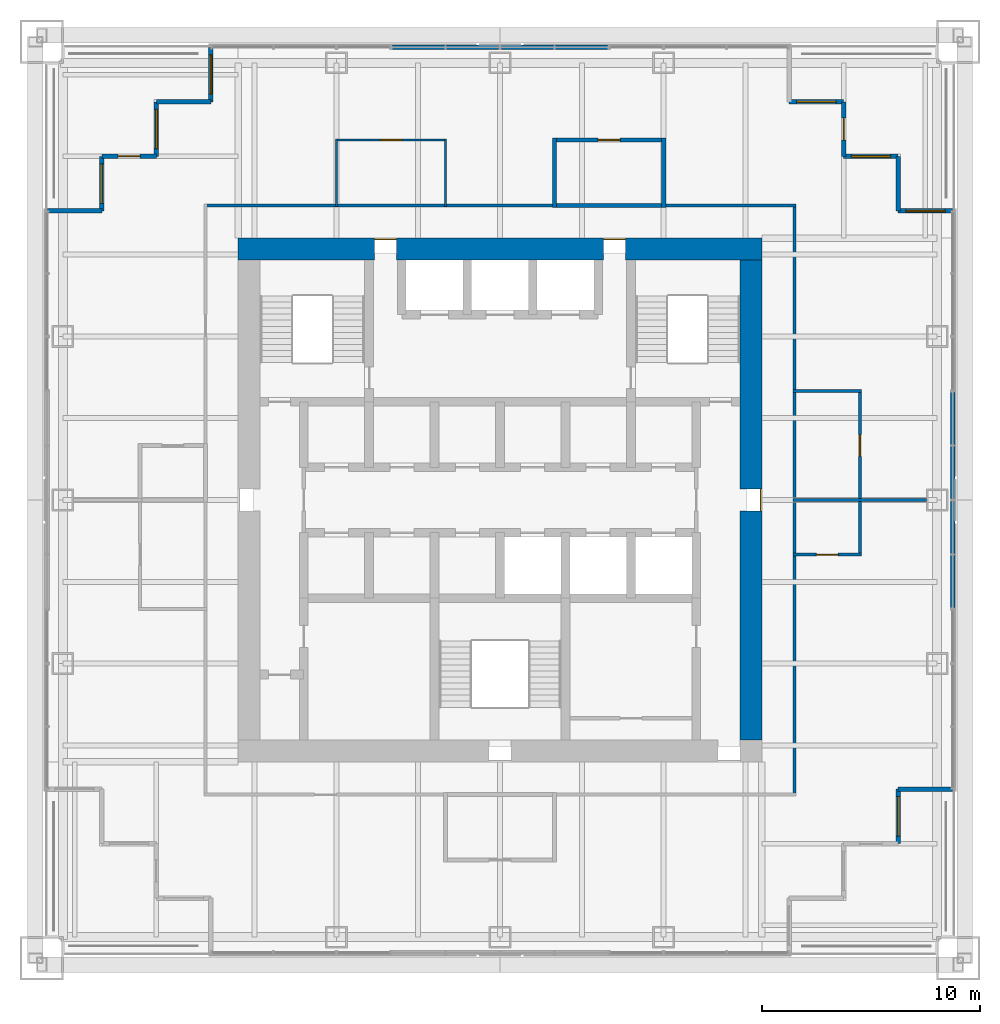
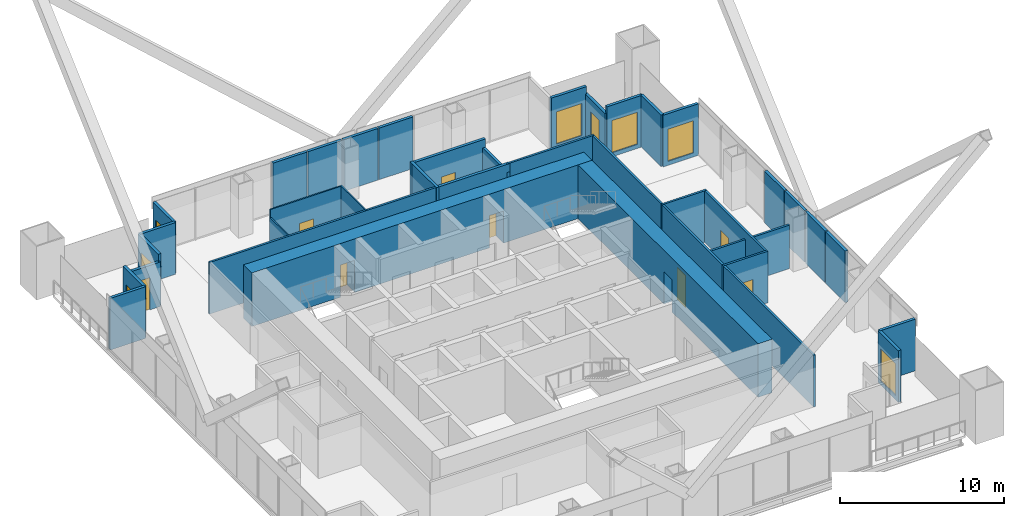
# One storey, part 16 of 19: 37 walls, 9 doors, 7 windows, 16 openings.
"""IFC4 building model written with IfcOpenShell, lengths in metres."""

import ifcopenshell
import ifcopenshell.guid

model = None  # the IFC model being written
_history = None  # IfcOwnerHistory: only IFC2X3 demands one
_inside = {}  # id of a spatial element -> (the spatial element, [elements in it])
_under = {}  # id of a project, library or spatial element -> (it, [spatial elements below it])
_declared = {}  # id of a project -> (the project, [libraries it declares])
_typed = {}  # id of a type object -> (the type object, [elements of that type])
_made_of = {}  # id of a material, layer set ... -> (it, [elements and type objects made of it])


def new_model(schema):
    """Start an empty IFC model of exactly this schema.

    Asked for "IFC4X3", IfcOpenShell would pick the latest addendum, in which some entities
    have other attributes; the version numbers below select the first issue.
    IFC2X3 requires an IfcOwnerHistory on every rooted entity: one is made here for all.
    """
    global model, _history
    if schema == "IFC4X3":
        model = ifcopenshell.file(schema_version=(4, 3, 0, 0))
    else:
        model = ifcopenshell.file(schema=schema)
    _inside.clear()
    _under.clear()
    _declared.clear()
    _typed.clear()
    _made_of.clear()
    _history = None
    if model.schema == "IFC2X3":
        org = make("IfcOrganization", Name="unknown")
        user = make(
            "IfcPersonAndOrganization",
            ThePerson=make("IfcPerson", FamilyName="unknown"),
            TheOrganization=org,
        )
        app = make(
            "IfcApplication",
            ApplicationDeveloper=org,
            Version="unknown",
            ApplicationFullName="unknown",
            ApplicationIdentifier="unknown",
        )
        _history = make(
            "IfcOwnerHistory",
            OwningUser=user,
            OwningApplication=app,
            ChangeAction="ADDED",
            CreationDate=0,
        )
    return model


def make(cls, **values):
    """One entity of the class cls with the attributes given. An attribute that is None is left unset."""
    return model.create_entity(
        cls, **{name: value for name, value in values.items() if value is not None}
    )


def rooted(cls, **values):
    """An entity with a GlobalId (a new one), such as an element, a storey or a relation."""
    return make(cls, GlobalId=ifcopenshell.guid.new(), OwnerHistory=_history, **values)


def si_unit(unit_type, name, prefix=None):
    """IfcSIUnit, for example si_unit("LENGTHUNIT", "METRE", prefix="MILLI")."""
    return make("IfcSIUnit", UnitType=unit_type, Prefix=prefix, Name=name)


def assignment(units):
    """IfcUnitAssignment: the units of a project."""
    return None if units is None else make("IfcUnitAssignment", Units=units)


def point(xyz):
    """IfcCartesianPoint."""
    return None if xyz is None else make("IfcCartesianPoint", Coordinates=xyz)


def direction(xyz):
    """IfcDirection."""
    return None if xyz is None else make("IfcDirection", DirectionRatios=xyz)


def frame(location, z_axis=None, x_axis=None):
    """IfcAxis2Placement3D, a coordinate frame: its origin and axes. An axis left out is left unset."""
    return make(
        "IfcAxis2Placement3D",
        Location=point(location),
        Axis=direction(z_axis),
        RefDirection=direction(x_axis),
    )


def frame_2d(location, x_axis=None):
    """IfcAxis2Placement2D, a coordinate frame in the plane: its origin and x axis."""
    return make(
        "IfcAxis2Placement2D", Location=point(location), RefDirection=direction(x_axis)
    )


def origin():
    """The frame at (0, 0, 0) with its axes left unset."""
    return frame((0.0, 0.0, 0.0))


def place(relative_to, where):
    """IfcLocalPlacement: puts the frame where relative to a parent placement (None: the world)."""
    return make(
        "IfcLocalPlacement", PlacementRelTo=relative_to, RelativePlacement=where
    )


def context(
    kind, dimensions, precision=None, world=None, true_north=None, identifier=None
):
    """IfcGeometricRepresentationContext, for example the 3D "Model" context."""
    return make(
        "IfcGeometricRepresentationContext",
        ContextIdentifier=identifier,
        ContextType=kind,
        CoordinateSpaceDimension=dimensions,
        Precision=precision,
        WorldCoordinateSystem=world,
        TrueNorth=true_north,
    )


def subcontext(parent, identifier, kind, view, scale=None):
    """IfcGeometricRepresentationSubContext, for example "Body" below "Model"."""
    return make(
        "IfcGeometricRepresentationSubContext",
        ContextIdentifier=identifier,
        ContextType=kind,
        ParentContext=parent,
        TargetScale=scale,
        TargetView=view,
    )


def project(units=None, contexts=None):
    """IfcProject with its units and contexts."""
    return rooted(
        "IfcProject",
        Name="project",
        RepresentationContexts=contexts,
        UnitsInContext=assignment(units),
    )


def spatial(cls, under=None, at=None, **own):
    """A site, building, storey or space (cls), placed at a placement, below another one or the project."""
    s = rooted(cls, ObjectPlacement=at, **own)
    if under is not None:
        _under.setdefault(under.id(), (under, []))[1].append(s)
    return s


def profile(cls, at=None, kind="AREA", **sizes):
    """A parametric profile (cls). Its sizes go by their IFC names, for example OverallWidth=200.0."""
    return make(cls, ProfileType=kind, Position=at, **sizes)


def rectangle(**sizes):
    """IfcRectangleProfileDef."""
    return profile("IfcRectangleProfileDef", **sizes)


def extrude(swept, where, along, depth):
    """IfcExtrudedAreaSolid: the profile swept, set in the frame where, extruded along a direction by depth."""
    return make(
        "IfcExtrudedAreaSolid",
        SweptArea=swept,
        Position=where,
        ExtrudedDirection=direction(along),
        Depth=depth,
    )


def shape(context_of_items, identifier, shape_type, items):
    """IfcShapeRepresentation: the items that make up one representation, for example the "Body"."""
    return make(
        "IfcShapeRepresentation",
        ContextOfItems=context_of_items,
        RepresentationIdentifier=identifier,
        RepresentationType=shape_type,
        Items=items,
    )


def material(Name=None, Category=None):
    """IfcMaterial."""
    return make("IfcMaterial", Name=Name, Category=Category)


def layer(
    of_material, thickness, ventilated=None, Name=None, Category=None, Priority=None
):
    """IfcMaterialLayer: one layer of a wall or slab, of a material (None: an air gap)."""
    return make(
        "IfcMaterialLayer",
        Material=of_material,
        LayerThickness=thickness,
        IsVentilated=ventilated,
        Name=Name,
        Category=Category,
        Priority=Priority,
    )


def layer_set(layers, Name=None):
    """IfcMaterialLayerSet."""
    return make("IfcMaterialLayerSet", MaterialLayers=layers, LayerSetName=Name)


def made_of(thing, what):
    """Note that an element or type object is made of a material, layer set ...; save() writes the relation."""
    if what is not None:
        _made_of.setdefault(what.id(), (what, []))[1].append(thing)
    return thing


def type_object(cls, material=None, **own):
    """A type object (cls), such as IfcWallType, which elements share."""
    return made_of(rooted(cls, **own), material)


def element(
    cls,
    number,
    at=None,
    inside=None,
    cuts=None,
    type_object=None,
    material=None,
    context=None,
    identifier="Body",
    shape_type=None,
    held_by="IfcProductDefinitionShape",
    body=None,
    shapes=None,
    **own,
):
    """One element of the class cls, such as IfcWall. Its Tag is "e" and its number.

    at: its placement. inside: the storey or other place that contains it. cuts: it is an
    opening in that element (IfcRelVoidsElement). A single representation is given by context,
    identifier, shape_type and body (its items); several are given by shapes. held_by: the class
    of the entity that holds the representations. save() writes the other relations.
    """
    e = rooted(cls, Tag="e%d" % number, ObjectPlacement=at, **own)
    if body is not None:
        shapes = [shape(context, identifier, shape_type, body)]
    if shapes is not None:
        e.Representation = make(held_by, Representations=shapes)
    if inside is not None:
        _inside.setdefault(inside.id(), (inside, []))[1].append(e)
    if cuts is not None:
        rooted(
            "IfcRelVoidsElement", RelatingBuildingElement=cuts, RelatedOpeningElement=e
        )
    if type_object is not None:
        _typed.setdefault(type_object.id(), (type_object, []))[1].append(e)
    return made_of(e, material)


def fill(opening, filler):
    """IfcRelFillsElement: the door or window that sits in an opening."""
    return rooted(
        "IfcRelFillsElement",
        RelatingOpeningElement=opening,
        RelatedBuildingElement=filler,
    )


def aggregate(whole, parts):
    """IfcRelAggregates: a whole, such as a stair, and the parts it consists of."""
    return rooted("IfcRelAggregates", RelatingObject=whole, RelatedObjects=parts)


def save(model, path):
    """Write the relations noted so far, then the file.

    IfcRelAggregates (storeys below a building ...), IfcRelContainedInSpatialStructure (elements
    in a storey), IfcRelDefinesByType, IfcRelAssociatesMaterial and IfcRelDeclares: one each for
    every whole, place, type object, material and project.
    """
    for whole, parts in _under.values():
        aggregate(whole, parts)
    for where, things in _inside.values():
        rooted(
            "IfcRelContainedInSpatialStructure",
            RelatedElements=things,
            RelatingStructure=where,
        )
    for kind, things in _typed.values():
        rooted("IfcRelDefinesByType", RelatedObjects=things, RelatingType=kind)
    for what, things in _made_of.values():
        rooted("IfcRelAssociatesMaterial", RelatedObjects=things, RelatingMaterial=what)
    for by, libraries in _declared.values():
        rooted("IfcRelDeclares", RelatingContext=by, RelatedDefinitions=libraries)
    model.write(path)


model = new_model("IFC4")

# Units and contexts
model_context = context("Model", 3, precision=1e-05, world=origin(), true_north=direction((0.0, 1.0)))
body_context = subcontext(model_context, "Body", "Model", "MODEL_VIEW")
ifc_project = project(units=[si_unit("LENGTHUNIT", "METRE"), si_unit("AREAUNIT", "SQUARE_METRE"), si_unit("VOLUMEUNIT", "CUBIC_METRE"), si_unit("PLANEANGLEUNIT", "RADIAN"), si_unit("MASSUNIT", "GRAM", prefix="KILO")], contexts=[model_context])

# Site, building, storey
site_placement = place(None, origin())
site = spatial("IfcSite", under=ifc_project, at=site_placement, CompositionType="ELEMENT")
building_placement = place(site_placement, origin())
building = spatial("IfcBuilding", under=site, at=building_placement, Name="Tarangal Relay Tower", CompositionType="ELEMENT")
storey_placement = place(building_placement, frame((0.0, 0.0, 275.89990234375)))
storey = spatial("IfcBuildingStorey", under=building, at=storey_placement, Name="L60", CompositionType="ELEMENT", Elevation=275.89990234375)

# Wall
ifc_material_1 = material(Name="Two layers gypsum board each side on twin steel studs, mineral wool", Category="steel")
ifc_layer_1 = layer(ifc_material_1, 0.199951171875)
ifc_layer_set_1 = layer_set([ifc_layer_1], Name="Acoustic partition 200")
wall_type_1 = type_object("IfcWallType", Name="Acoustic partition 200", PredefinedType="PARTITIONING", material=ifc_layer_set_1)
wall_1_placement = place(storey_placement, frame((2.39990234375, 13.5, 0.0), z_axis=(0.0, 0.0, 1.0), x_axis=(1.0, 0.0, 0.0)))
element("IfcWall", 1, at=wall_1_placement, inside=storey, type_object=wall_type_1, Name="Partition PT2 L60", PredefinedType="PARTITIONING", context=body_context, shape_type="SweptSolid", body=[
    extrude(rectangle(XDim=5.2001953125, YDim=0.199951171875, at=frame_2d((2.60009765625, 0.0))), origin(), (0.0, 0.0, 1.0), 3.85009765625),
])

# Wall, opening, door
wall_2_placement = place(storey_placement, frame((2.39990234375, 16.5, 0.0), z_axis=(0.0, 0.0, 1.0), x_axis=(1.0, 0.0, 0.0)))
wall_2 = element("IfcWall", 2, at=wall_2_placement, inside=storey, type_object=wall_type_1, Name="Partition PT2 L60", PredefinedType="PARTITIONING", context=body_context, shape_type="SweptSolid", body=[
    extrude(rectangle(XDim=5.2001953125, YDim=0.199951171875, at=frame_2d((2.60009765625, 0.0))), origin(), (0.0, 0.0, 1.0), 3.85009765625),
])
opening_1_placement = place(wall_2_placement, frame((2.10009765625, 0.0, 0.0)))
opening_1 = element("IfcOpeningElement", 3, at=opening_1_placement, cuts=wall_2, Name="Opening D2", PredefinedType="OPENING", context=body_context, shape_type="SweptSolid", body=[
    extrude(rectangle(XDim=1.0, YDim=2.10009765625, at=frame_2d((0.5, 1.050048828125))), frame((0.0, 0.10986328125, 0.0), z_axis=(0.0, -1.0, 0.0), x_axis=(1.0, 0.0, 0.0)), (0.0, 0.0, 1.0), 0.219970703125),
])
ifc_material_2 = material(Name="Hardwood door", Category="wood")
door_type_1 = type_object("IfcDoorType", Name="Door 1000 x 2100", OperationType="SINGLE_SWING_LEFT", PredefinedType="DOOR", material=ifc_material_2)
door_1_placement = place(opening_1_placement, origin())
door_1 = element("IfcDoor", 4, at=door_1_placement, inside=storey, type_object=door_type_1, Name="Door D2 to quiet room L60-03", OperationType="SINGLE_SWING_LEFT", OverallHeight=2.10009765625, OverallWidth=1.0, PredefinedType="DOOR", context=body_context, shape_type="SweptSolid", body=[
    extrude(rectangle(XDim=1.0, YDim=2.10009765625, at=frame_2d((0.5, 1.050048828125))), frame((0.0, 0.02490234375, 0.0), z_axis=(0.0, -1.0, 0.0), x_axis=(1.0, 0.0, 0.0)), (0.0, 0.0, 1.0), 0.050048828125),
])
fill(opening_1, door_1)

# Walls
wall_3_placement = place(storey_placement, frame((2.5, 13.39990234375, 0.0), z_axis=(0.0, 0.0, 1.0), x_axis=(0.0, 1.0, 0.0)))
element("IfcWall", 5, at=wall_3_placement, inside=storey, type_object=wall_type_1, Name="Partition PT2 L60", PredefinedType="PARTITIONING", context=body_context, shape_type="SweptSolid", body=[
    extrude(rectangle(XDim=3.2001953125, YDim=0.199951171875, at=frame_2d((1.60009765625, 0.0))), origin(), (0.0, 0.0, 1.0), 3.85009765625),
])
wall_4_placement = place(storey_placement, frame((7.5, 13.39990234375, 0.0), z_axis=(0.0, 0.0, 1.0), x_axis=(0.0, 1.0, 0.0)))
element("IfcWall", 6, at=wall_4_placement, inside=storey, type_object=wall_type_1, Name="Partition PT2 L60", PredefinedType="PARTITIONING", context=body_context, shape_type="SweptSolid", body=[
    extrude(rectangle(XDim=3.2001953125, YDim=0.199951171875, at=frame_2d((1.60009765625, 0.0))), origin(), (0.0, 0.0, 1.0), 3.2431640625),
])

# Wall, openings, doors
ifc_material_3 = material(Name="Concrete fc' 60 MPa", Category="concrete")
ifc_layer_2 = layer(ifc_material_3, 1.0)
ifc_layer_set_2 = layer_set([ifc_layer_2], Name="Core wall 1000")
wall_type_2 = type_object("IfcWallType", Name="Core wall 1000", PredefinedType="SHEAR", material=ifc_layer_set_2)
wall_5_placement = place(storey_placement, frame((-12.0, 11.5, 0.0), z_axis=(0.0, 0.0, 1.0), x_axis=(1.0, 0.0, 0.0)))
wall_5 = element("IfcWall", 7, at=wall_5_placement, inside=storey, type_object=wall_type_2, Name="Core wall N L60", PredefinedType="SHEAR", context=body_context, shape_type="SweptSolid", body=[
    extrude(rectangle(XDim=24.0, YDim=1.0, at=frame_2d((12.0, 0.0))), origin(), (0.0, 0.0, 1.0), 4.0),
])
opening_2_placement = place(wall_5_placement, frame((6.25, 0.0, 0.0)))
opening_2 = element("IfcOpeningElement", 8, at=opening_2_placement, cuts=wall_5, Name="Opening FD3", PredefinedType="OPENING", context=body_context, shape_type="SweptSolid", body=[
    extrude(rectangle(XDim=1.0, YDim=2.39990234375, at=frame_2d((0.5, 1.199951171875))), frame((0.0, 0.510009765625, 0.0), z_axis=(0.0, -1.0, 0.0), x_axis=(1.0, 0.0, 0.0)), (0.0, 0.0, 1.0), 1.02001953125),
])
opening_3_placement = place(wall_5_placement, frame((16.75, 0.0, 0.0)))
opening_3 = element("IfcOpeningElement", 9, at=opening_3_placement, cuts=wall_5, Name="Opening FD3", PredefinedType="OPENING", context=body_context, shape_type="SweptSolid", body=[
    extrude(rectangle(XDim=1.0, YDim=2.39990234375, at=frame_2d((0.5, 1.199951171875))), frame((0.0, 0.510009765625, 0.0), z_axis=(0.0, -1.0, 0.0), x_axis=(1.0, 0.0, 0.0)), (0.0, 0.0, 1.0), 1.02001953125),
])
ifc_material_4 = material(Name="Steel door with hardwood frame", Category="steel")
door_type_2 = type_object("IfcDoorType", Name="Fire door 1000 x 2400 core entry", OperationType="SINGLE_SWING_RIGHT", PredefinedType="DOOR", material=ifc_material_4)
door_2_placement = place(opening_2_placement, origin())
door_2 = element("IfcDoor", 10, at=door_2_placement, inside=storey, type_object=door_type_2, Name="Core entry door north west L60", OperationType="SINGLE_SWING_RIGHT", OverallHeight=2.39990234375, OverallWidth=1.0, PredefinedType="DOOR", context=body_context, shape_type="SweptSolid", body=[
    extrude(rectangle(XDim=1.0, YDim=2.39990234375, at=frame_2d((0.5, 1.199951171875))), frame((0.0, 0.48486328125, 0.0), z_axis=(0.0, -1.0, 0.0), x_axis=(1.0, 0.0, 0.0)), (0.0, 0.0, 1.0), 0.050048828125),
])
fill(opening_2, door_2)
door_3_placement = place(opening_3_placement, origin())
door_3 = element("IfcDoor", 11, at=door_3_placement, inside=storey, type_object=door_type_2, Name="Core entry door north east L60", OperationType="SINGLE_SWING_RIGHT", OverallHeight=2.39990234375, OverallWidth=1.0, PredefinedType="DOOR", context=body_context, shape_type="SweptSolid", body=[
    extrude(rectangle(XDim=1.0, YDim=2.39990234375, at=frame_2d((0.5, 1.199951171875))), frame((0.0, 0.48486328125, 0.0), z_axis=(0.0, -1.0, 0.0), x_axis=(1.0, 0.0, 0.0)), (0.0, 0.0, 1.0), 0.050048828125),
])
fill(opening_3, door_3)

# Wall, opening, door
wall_6_placement = place(storey_placement, frame((11.5, 11.0, 0.0), z_axis=(0.0, 0.0, 1.0), x_axis=(0.0, -1.0, 0.0)))
wall_6 = element("IfcWall", 12, at=wall_6_placement, inside=storey, type_object=wall_type_2, Name="Core wall E L60", PredefinedType="SHEAR", context=body_context, shape_type="SweptSolid", body=[
    extrude(rectangle(XDim=22.0, YDim=1.0, at=frame_2d((11.0, 0.0))), origin(), (0.0, 0.0, 1.0), 4.0),
])
opening_4_placement = place(wall_6_placement, frame((10.5, 0.0, 0.0)))
opening_4 = element("IfcOpeningElement", 13, at=opening_4_placement, cuts=wall_6, Name="Opening FD3", PredefinedType="OPENING", context=body_context, shape_type="SweptSolid", body=[
    extrude(rectangle(XDim=1.0, YDim=2.39990234375, at=frame_2d((0.5, 1.199951171875))), frame((0.0, 0.510009765625, 0.0), z_axis=(0.0, -1.0, 0.0), x_axis=(1.0, 0.0, 0.0)), (0.0, 0.0, 1.0), 1.02001953125),
])
door_4_placement = place(opening_4_placement, origin())
door_4 = element("IfcDoor", 14, at=door_4_placement, inside=storey, type_object=door_type_2, Name="Core entry door east L60", OperationType="SINGLE_SWING_RIGHT", OverallHeight=2.39990234375, OverallWidth=1.0, PredefinedType="DOOR", context=body_context, shape_type="SweptSolid", body=[
    extrude(rectangle(XDim=1.0, YDim=2.39990234375, at=frame_2d((0.5, 1.199951171875))), frame((0.0, 0.48486328125, 0.0), z_axis=(0.0, -1.0, 0.0), x_axis=(1.0, 0.0, 0.0)), (0.0, 0.0, 1.0), 0.050048828125),
])
fill(opening_4, door_4)

# Wall, opening, window
ifc_material_5 = material(Name="Black metal clad insulated wall", Category="steel")
ifc_layer_3 = layer(ifc_material_5, 0.199951171875)
ifc_layer_set_3 = layer_set([ifc_layer_3], Name="Corner wall metal clad 200")
wall_type_3 = type_object("IfcWallType", Name="Corner wall metal clad 200", PredefinedType="SOLIDWALL", material=ifc_layer_set_3)
wall_7_placement = place(storey_placement, frame((13.25, 18.25, 0.0), z_axis=(0.0, 0.0, 1.0), x_axis=(1.0, 0.0, 0.0)))
wall_7 = element("IfcWall", 15, at=wall_7_placement, inside=storey, type_object=wall_type_3, Name="Facade wall N facade L60", PredefinedType="SOLIDWALL", context=body_context, shape_type="SweptSolid", body=[
    extrude(rectangle(XDim=2.5, YDim=0.199951171875, at=frame_2d((1.25, 0.0))), origin(), (0.0, 0.0, 1.0), 3.85009765625),
])
opening_5_placement = place(wall_7_placement, frame((0.35009765625, 0.0, 0.300048828125)))
opening_5 = element("IfcOpeningElement", 16, at=opening_5_placement, cuts=wall_7, Name="Opening WN2", PredefinedType="OPENING", context=body_context, shape_type="SweptSolid", body=[
    extrude(rectangle(XDim=1.800048828125, YDim=2.39990234375, at=frame_2d((0.89990234375, 1.199951171875))), frame((0.0, 0.10986328125, 0.0), z_axis=(0.0, -1.0, 0.0), x_axis=(1.0, 0.0, 0.0)), (0.0, 0.0, 1.0), 0.219970703125),
])
ifc_material_6 = material(Name="Dark tinted double glazing in black aluminium frame", Category="aluminium")
window_type = type_object("IfcWindowType", Name="Corner window 1800 x 2400", PartitioningType="SINGLE_PANEL", PredefinedType="WINDOW", material=ifc_material_6)
window_1_placement = place(opening_5_placement, origin())
window_1 = element("IfcWindow", 17, at=window_1_placement, inside=storey, type_object=window_type, Name="Corner window WN2 N facade L60", OverallHeight=2.39990234375, OverallWidth=1.800048828125, PartitioningType="SINGLE_PANEL", PredefinedType="WINDOW", context=body_context, shape_type="SweptSolid", body=[
    extrude(rectangle(XDim=1.800048828125, YDim=2.39990234375, at=frame_2d((0.89990234375, 1.199951171875))), frame((0.0, 0.030029296875, 0.0), z_axis=(0.0, -1.0, 0.0), x_axis=(1.0, 0.0, 0.0)), (0.0, 0.0, 1.0), 0.06005859375),
])
fill(opening_5, window_1)

# Wall, opening, door
wall_8_placement = place(storey_placement, frame((15.75, 18.25, 0.0), z_axis=(0.0, 0.0, 1.0), x_axis=(0.0, -1.0, 0.0)))
wall_8 = element("IfcWall", 18, at=wall_8_placement, inside=storey, type_object=wall_type_3, Name="Facade wall N facade L60", PredefinedType="SOLIDWALL", context=body_context, shape_type="SweptSolid", body=[
    extrude(rectangle(XDim=2.5, YDim=0.199951171875, at=frame_2d((1.25, 0.0))), origin(), (0.0, 0.0, 1.0), 3.316650390625),
])
opening_6_placement = place(wall_8_placement, frame((0.75, 0.0, 0.0)))
opening_6 = element("IfcOpeningElement", 19, at=opening_6_placement, cuts=wall_8, Name="Opening TD1", PredefinedType="OPENING", context=body_context, shape_type="SweptSolid", body=[
    extrude(rectangle(XDim=1.0, YDim=2.39990234375, at=frame_2d((0.5, 1.199951171875))), frame((0.0, 0.10986328125, 0.0), z_axis=(0.0, -1.0, 0.0), x_axis=(1.0, 0.0, 0.0)), (0.0, 0.0, 1.0), 0.219970703125),
])
ifc_material_7 = material(Name="Aluminium glazed door", Category="aluminium")
door_type_3 = type_object("IfcDoorType", Name="Terrace door 1000 x 2400", OperationType="SINGLE_SWING_RIGHT", PredefinedType="DOOR", material=ifc_material_7)
door_5_placement = place(opening_6_placement, origin())
door_5 = element("IfcDoor", 20, at=door_5_placement, inside=storey, type_object=door_type_3, Name="Terrace door TD1 NE L60", OperationType="SINGLE_SWING_RIGHT", OverallHeight=2.39990234375, OverallWidth=1.0, PredefinedType="DOOR", context=body_context, shape_type="SweptSolid", body=[
    extrude(rectangle(XDim=1.0, YDim=2.39990234375, at=frame_2d((0.5, 1.199951171875))), frame((0.0, 0.02490234375, 0.0), z_axis=(0.0, -1.0, 0.0), x_axis=(1.0, 0.0, 0.0)), (0.0, 0.0, 1.0), 0.050048828125),
])
fill(opening_6, door_5)

# Wall, opening, window
wall_9_placement = place(storey_placement, frame((15.75, 15.75, 0.0), z_axis=(0.0, 0.0, 1.0), x_axis=(1.0, 0.0, 0.0)))
wall_9 = element("IfcWall", 21, at=wall_9_placement, inside=storey, type_object=wall_type_3, Name="Facade wall N facade L60", PredefinedType="SOLIDWALL", context=body_context, shape_type="SweptSolid", body=[
    extrude(rectangle(XDim=2.5, YDim=0.199951171875, at=frame_2d((1.25, 0.0))), origin(), (0.0, 0.0, 1.0), 3.85009765625),
])
opening_7_placement = place(wall_9_placement, frame((0.35009765625, 0.0, 0.300048828125)))
opening_7 = element("IfcOpeningElement", 22, at=opening_7_placement, cuts=wall_9, Name="Opening WN2", PredefinedType="OPENING", context=body_context, shape_type="SweptSolid", body=[
    extrude(rectangle(XDim=1.800048828125, YDim=2.39990234375, at=frame_2d((0.89990234375, 1.199951171875))), frame((0.0, 0.10986328125, 0.0), z_axis=(0.0, -1.0, 0.0), x_axis=(1.0, 0.0, 0.0)), (0.0, 0.0, 1.0), 0.219970703125),
])
window_2_placement = place(opening_7_placement, origin())
window_2 = element("IfcWindow", 23, at=window_2_placement, inside=storey, type_object=window_type, Name="Corner window WN2 N facade L60", OverallHeight=2.39990234375, OverallWidth=1.800048828125, PartitioningType="SINGLE_PANEL", PredefinedType="WINDOW", context=body_context, shape_type="SweptSolid", body=[
    extrude(rectangle(XDim=1.800048828125, YDim=2.39990234375, at=frame_2d((0.89990234375, 1.199951171875))), frame((0.0, 0.030029296875, 0.0), z_axis=(0.0, -1.0, 0.0), x_axis=(1.0, 0.0, 0.0)), (0.0, 0.0, 1.0), 0.06005859375),
])
fill(opening_7, window_2)

# Wall
wall_10_placement = place(storey_placement, frame((18.25, 15.75, 0.0), z_axis=(0.0, 0.0, 1.0), x_axis=(0.0, -1.0, 0.0)))
element("IfcWall", 24, at=wall_10_placement, inside=storey, type_object=wall_type_3, Name="Facade wall N facade L60", PredefinedType="SOLIDWALL", context=body_context, shape_type="SweptSolid", body=[
    extrude(rectangle(XDim=2.5, YDim=0.199951171875, at=frame_2d((1.25, 0.0))), origin(), (0.0, 0.0, 1.0), 3.85009765625),
])

# Wall, opening, window
wall_11_placement = place(storey_placement, frame((18.25, 13.25, 0.0), z_axis=(0.0, 0.0, 1.0), x_axis=(1.0, 0.0, 0.0)))
wall_11 = element("IfcWall", 25, at=wall_11_placement, inside=storey, type_object=wall_type_3, Name="Facade wall N facade L60", PredefinedType="SOLIDWALL", context=body_context, shape_type="SweptSolid", body=[
    extrude(rectangle(XDim=2.5, YDim=0.199951171875, at=frame_2d((1.25, 0.0))), origin(), (0.0, 0.0, 1.0), 3.85009765625),
])
opening_8_placement = place(wall_11_placement, frame((0.35009765625, 0.0, 0.300048828125)))
opening_8 = element("IfcOpeningElement", 26, at=opening_8_placement, cuts=wall_11, Name="Opening WN2", PredefinedType="OPENING", context=body_context, shape_type="SweptSolid", body=[
    extrude(rectangle(XDim=1.800048828125, YDim=2.39990234375, at=frame_2d((0.89990234375, 1.199951171875))), frame((0.0, 0.10986328125, 0.0), z_axis=(0.0, -1.0, 0.0), x_axis=(1.0, 0.0, 0.0)), (0.0, 0.0, 1.0), 0.219970703125),
])
window_3_placement = place(opening_8_placement, origin())
window_3 = element("IfcWindow", 27, at=window_3_placement, inside=storey, type_object=window_type, Name="Corner window WN2 N facade L60", OverallHeight=2.39990234375, OverallWidth=1.800048828125, PartitioningType="SINGLE_PANEL", PredefinedType="WINDOW", context=body_context, shape_type="SweptSolid", body=[
    extrude(rectangle(XDim=1.800048828125, YDim=2.39990234375, at=frame_2d((0.89990234375, 1.199951171875))), frame((0.0, 0.030029296875, 0.0), z_axis=(0.0, -1.0, 0.0), x_axis=(1.0, 0.0, 0.0)), (0.0, 0.0, 1.0), 0.06005859375),
])
fill(opening_8, window_3)

# Wall
wall_12_placement = place(storey_placement, frame((20.75, -13.25, 0.0), z_axis=(0.0, 0.0, 1.0), x_axis=(-1.0, 0.0, 0.0)))
element("IfcWall", 28, at=wall_12_placement, inside=storey, type_object=wall_type_3, Name="Facade wall E facade L60", PredefinedType="SOLIDWALL", context=body_context, shape_type="SweptSolid", body=[
    extrude(rectangle(XDim=2.5, YDim=0.199951171875, at=frame_2d((1.25, 0.0))), origin(), (0.0, 0.0, 1.0), 3.85009765625),
])

# Wall, opening, window
wall_13_placement = place(storey_placement, frame((18.25, -13.25, 0.0), z_axis=(0.0, 0.0, 1.0), x_axis=(0.0, -1.0, 0.0)))
wall_13 = element("IfcWall", 29, at=wall_13_placement, inside=storey, type_object=wall_type_3, Name="Facade wall E facade L60", PredefinedType="SOLIDWALL", context=body_context, shape_type="SweptSolid", body=[
    extrude(rectangle(XDim=2.5, YDim=0.199951171875, at=frame_2d((1.25, 0.0))), origin(), (0.0, 0.0, 1.0), 3.85009765625),
])
opening_9_placement = place(wall_13_placement, frame((0.35009765625, 0.0, 0.300048828125)))
opening_9 = element("IfcOpeningElement", 30, at=opening_9_placement, cuts=wall_13, Name="Opening WN2", PredefinedType="OPENING", context=body_context, shape_type="SweptSolid", body=[
    extrude(rectangle(XDim=1.800048828125, YDim=2.39990234375, at=frame_2d((0.89990234375, 1.199951171875))), frame((0.0, 0.10986328125, 0.0), z_axis=(0.0, -1.0, 0.0), x_axis=(1.0, 0.0, 0.0)), (0.0, 0.0, 1.0), 0.219970703125),
])
window_4_placement = place(opening_9_placement, origin())
window_4 = element("IfcWindow", 31, at=window_4_placement, inside=storey, type_object=window_type, Name="Corner window WN2 E facade L60", OverallHeight=2.39990234375, OverallWidth=1.800048828125, PartitioningType="SINGLE_PANEL", PredefinedType="WINDOW", context=body_context, shape_type="SweptSolid", body=[
    extrude(rectangle(XDim=1.800048828125, YDim=2.39990234375, at=frame_2d((0.89990234375, 1.199951171875))), frame((0.0, 0.030029296875, 0.0), z_axis=(0.0, -1.0, 0.0), x_axis=(1.0, 0.0, 0.0)), (0.0, 0.0, 1.0), 0.06005859375),
])
fill(opening_9, window_4)

# Wall
wall_14_placement = place(storey_placement, frame((-20.75, 13.25, 0.0), z_axis=(0.0, 0.0, 1.0), x_axis=(1.0, 0.0, 0.0)))
element("IfcWall", 32, at=wall_14_placement, inside=storey, type_object=wall_type_3, Name="Facade wall W facade L60", PredefinedType="SOLIDWALL", context=body_context, shape_type="SweptSolid", body=[
    extrude(rectangle(XDim=2.5, YDim=0.199951171875, at=frame_2d((1.25, 0.0))), origin(), (0.0, 0.0, 1.0), 3.85009765625),
])

# Wall, opening, window
wall_15_placement = place(storey_placement, frame((-18.25, 13.25, 0.0), z_axis=(0.0, 0.0, 1.0), x_axis=(0.0, 1.0, 0.0)))
wall_15 = element("IfcWall", 33, at=wall_15_placement, inside=storey, type_object=wall_type_3, Name="Facade wall W facade L60", PredefinedType="SOLIDWALL", context=body_context, shape_type="SweptSolid", body=[
    extrude(rectangle(XDim=2.5, YDim=0.199951171875, at=frame_2d((1.25, 0.0))), origin(), (0.0, 0.0, 1.0), 3.85009765625),
])
opening_10_placement = place(wall_15_placement, frame((0.35009765625, 0.0, 0.300048828125)))
opening_10 = element("IfcOpeningElement", 34, at=opening_10_placement, cuts=wall_15, Name="Opening WN2", PredefinedType="OPENING", context=body_context, shape_type="SweptSolid", body=[
    extrude(rectangle(XDim=1.800048828125, YDim=2.39990234375, at=frame_2d((0.89990234375, 1.199951171875))), frame((0.0, 0.10986328125, 0.0), z_axis=(0.0, -1.0, 0.0), x_axis=(1.0, 0.0, 0.0)), (0.0, 0.0, 1.0), 0.219970703125),
])
window_5_placement = place(opening_10_placement, origin())
window_5 = element("IfcWindow", 35, at=window_5_placement, inside=storey, type_object=window_type, Name="Corner window WN2 W facade L60", OverallHeight=2.39990234375, OverallWidth=1.800048828125, PartitioningType="SINGLE_PANEL", PredefinedType="WINDOW", context=body_context, shape_type="SweptSolid", body=[
    extrude(rectangle(XDim=1.800048828125, YDim=2.39990234375, at=frame_2d((0.89990234375, 1.199951171875))), frame((0.0, 0.030029296875, 0.0), z_axis=(0.0, -1.0, 0.0), x_axis=(1.0, 0.0, 0.0)), (0.0, 0.0, 1.0), 0.06005859375),
])
fill(opening_10, window_5)

# Wall, opening, door
wall_16_placement = place(storey_placement, frame((-18.25, 15.75, 0.0), z_axis=(0.0, 0.0, 1.0), x_axis=(1.0, 0.0, 0.0)))
wall_16 = element("IfcWall", 36, at=wall_16_placement, inside=storey, type_object=wall_type_3, Name="Facade wall W facade L60", PredefinedType="SOLIDWALL", context=body_context, shape_type="SweptSolid", body=[
    extrude(rectangle(XDim=2.5, YDim=0.199951171875, at=frame_2d((1.25, 0.0))), origin(), (0.0, 0.0, 1.0), 3.316650390625),
])
opening_11_placement = place(wall_16_placement, frame((0.75, 0.0, 0.0)))
opening_11 = element("IfcOpeningElement", 37, at=opening_11_placement, cuts=wall_16, Name="Opening TD1", PredefinedType="OPENING", context=body_context, shape_type="SweptSolid", body=[
    extrude(rectangle(XDim=1.0, YDim=2.39990234375, at=frame_2d((0.5, 1.199951171875))), frame((0.0, 0.10986328125, 0.0), z_axis=(0.0, -1.0, 0.0), x_axis=(1.0, 0.0, 0.0)), (0.0, 0.0, 1.0), 0.219970703125),
])
door_6_placement = place(opening_11_placement, origin())
door_6 = element("IfcDoor", 38, at=door_6_placement, inside=storey, type_object=door_type_3, Name="Terrace door TD1 NW L60", OperationType="SINGLE_SWING_RIGHT", OverallHeight=2.39990234375, OverallWidth=1.0, PredefinedType="DOOR", context=body_context, shape_type="SweptSolid", body=[
    extrude(rectangle(XDim=1.0, YDim=2.39990234375, at=frame_2d((0.5, 1.199951171875))), frame((0.0, 0.02490234375, 0.0), z_axis=(0.0, -1.0, 0.0), x_axis=(1.0, 0.0, 0.0)), (0.0, 0.0, 1.0), 0.050048828125),
])
fill(opening_11, door_6)

# Wall, opening, window
wall_17_placement = place(storey_placement, frame((-15.75, 15.75, 0.0), z_axis=(0.0, 0.0, 1.0), x_axis=(0.0, 1.0, 0.0)))
wall_17 = element("IfcWall", 39, at=wall_17_placement, inside=storey, type_object=wall_type_3, Name="Facade wall W facade L60", PredefinedType="SOLIDWALL", context=body_context, shape_type="SweptSolid", body=[
    extrude(rectangle(XDim=2.5, YDim=0.199951171875, at=frame_2d((1.25, 0.0))), origin(), (0.0, 0.0, 1.0), 3.85009765625),
])
opening_12_placement = place(wall_17_placement, frame((0.35009765625, 0.0, 0.300048828125)))
opening_12 = element("IfcOpeningElement", 40, at=opening_12_placement, cuts=wall_17, Name="Opening WN2", PredefinedType="OPENING", context=body_context, shape_type="SweptSolid", body=[
    extrude(rectangle(XDim=1.800048828125, YDim=2.39990234375, at=frame_2d((0.89990234375, 1.199951171875))), frame((0.0, 0.10986328125, 0.0), z_axis=(0.0, -1.0, 0.0), x_axis=(1.0, 0.0, 0.0)), (0.0, 0.0, 1.0), 0.219970703125),
])
window_6_placement = place(opening_12_placement, origin())
window_6 = element("IfcWindow", 41, at=window_6_placement, inside=storey, type_object=window_type, Name="Corner window WN2 W facade L60", OverallHeight=2.39990234375, OverallWidth=1.800048828125, PartitioningType="SINGLE_PANEL", PredefinedType="WINDOW", context=body_context, shape_type="SweptSolid", body=[
    extrude(rectangle(XDim=1.800048828125, YDim=2.39990234375, at=frame_2d((0.89990234375, 1.199951171875))), frame((0.0, 0.030029296875, 0.0), z_axis=(0.0, -1.0, 0.0), x_axis=(1.0, 0.0, 0.0)), (0.0, 0.0, 1.0), 0.06005859375),
])
fill(opening_12, window_6)

# Wall
wall_18_placement = place(storey_placement, frame((-15.75, 18.25, 0.0), z_axis=(0.0, 0.0, 1.0), x_axis=(1.0, 0.0, 0.0)))
element("IfcWall", 42, at=wall_18_placement, inside=storey, type_object=wall_type_3, Name="Facade wall W facade L60", PredefinedType="SOLIDWALL", context=body_context, shape_type="SweptSolid", body=[
    extrude(rectangle(XDim=2.5, YDim=0.199951171875, at=frame_2d((1.25, 0.0))), origin(), (0.0, 0.0, 1.0), 3.85009765625),
])

# Wall, opening, window
wall_19_placement = place(storey_placement, frame((-13.25, 18.25, 0.0), z_axis=(0.0, 0.0, 1.0), x_axis=(0.0, 1.0, 0.0)))
wall_19 = element("IfcWall", 43, at=wall_19_placement, inside=storey, type_object=wall_type_3, Name="Facade wall W facade L60", PredefinedType="SOLIDWALL", context=body_context, shape_type="SweptSolid", body=[
    extrude(rectangle(XDim=2.5, YDim=0.199951171875, at=frame_2d((1.25, 0.0))), origin(), (0.0, 0.0, 1.0), 3.85009765625),
])
opening_13_placement = place(wall_19_placement, frame((0.35009765625, 0.0, 0.300048828125)))
opening_13 = element("IfcOpeningElement", 44, at=opening_13_placement, cuts=wall_19, Name="Opening WN2", PredefinedType="OPENING", context=body_context, shape_type="SweptSolid", body=[
    extrude(rectangle(XDim=1.800048828125, YDim=2.39990234375, at=frame_2d((0.89990234375, 1.199951171875))), frame((0.0, 0.10986328125, 0.0), z_axis=(0.0, -1.0, 0.0), x_axis=(1.0, 0.0, 0.0)), (0.0, 0.0, 1.0), 0.219970703125),
])
window_7_placement = place(opening_13_placement, origin())
window_7 = element("IfcWindow", 45, at=window_7_placement, inside=storey, type_object=window_type, Name="Corner window WN2 W facade L60", OverallHeight=2.39990234375, OverallWidth=1.800048828125, PartitioningType="SINGLE_PANEL", PredefinedType="WINDOW", context=body_context, shape_type="SweptSolid", body=[
    extrude(rectangle(XDim=1.800048828125, YDim=2.39990234375, at=frame_2d((0.89990234375, 1.199951171875))), frame((0.0, 0.030029296875, 0.0), z_axis=(0.0, -1.0, 0.0), x_axis=(1.0, 0.0, 0.0)), (0.0, 0.0, 1.0), 0.06005859375),
])
fill(opening_13, window_7)

# Walls
ifc_layer_4 = layer(ifc_material_5, 0.199951171875)
ifc_layer_set_4 = layer_set([ifc_layer_4], Name="Facade infill wall metal clad 200")
wall_type_4 = type_object("IfcWallType", Name="Facade infill wall metal clad 200", PredefinedType="SOLIDWALL", material=ifc_layer_set_4)
for number, where, z_axis, x_axis, name in (
    (46, (-4.93994140625, 20.75, 0.0), (0.0, 0.0, 1.0), (1.0, 0.0, 0.0), "Facade infill wall N facade L60 1.1"),
    (47, (-2.469970703125, 20.75, 0.0), (0.0, 0.0, 1.0), (1.0, 0.0, 0.0), "Facade infill wall N facade L60 2.1"),
    (48, (0.06005859375, 20.75, 0.0), (0.0, 0.0, 1.0), (1.0, 0.0, 0.0), "Facade infill wall N facade L60 1.1"),
    (49, (2.530029296875, 20.75, 0.0), (0.0, 0.0, 1.0), (1.0, 0.0, 0.0), "Facade infill wall N facade L60 2.1"),
    (50, (20.75, 4.93994140625, 0.0), (0.0, 0.0, 1.0), (0.0, -1.0, 0.0), "Facade infill wall E facade L60 1.1"),
    (51, (20.75, 2.469970703125, 0.0), (0.0, 0.0, 1.0), (0.0, -1.0, 0.0), "Facade infill wall E facade L60 2.1"),
    (52, (20.75, -0.06005859375, 0.0), (0.0, 0.0, 1.0), (0.0, -1.0, 0.0), "Facade infill wall E facade L60 1.1"),
    (53, (20.75, -2.530029296875, 0.0), (0.0, 0.0, 1.0), (0.0, -1.0, 0.0), "Facade infill wall E facade L60 2.1"),
):
    element("IfcWall", number, at=place(storey_placement, frame(where, z_axis=z_axis, x_axis=x_axis)), inside=storey, type_object=wall_type_4, Name=name, PredefinedType="SOLIDWALL", context=body_context, shape_type="SweptSolid", body=[
        extrude(rectangle(XDim=2.409912109375, YDim=0.199951171875, at=frame_2d((1.205078125, 0.0))), origin(), (0.0, 0.0, 1.0), 3.85009765625),
    ])

# Wall, opening, door
ifc_material_8 = material(Name="Double glazed aluminium framed partition", Category="aluminium")
ifc_layer_5 = layer(ifc_material_8, 0.10009765625)
ifc_layer_set_5 = layer_set([ifc_layer_5], Name="Glazed partition 100")
wall_type_5 = type_object("IfcWallType", Name="Glazed partition 100", PredefinedType="PARTITIONING", material=ifc_layer_set_5)
wall_20_placement = place(storey_placement, frame((-7.550048828125, 16.5, 0.0), z_axis=(0.0, 0.0, 1.0), x_axis=(1.0, 0.0, 0.0)))
wall_20 = element("IfcWall", 54, at=wall_20_placement, inside=storey, type_object=wall_type_5, Name="Partition PT3 L60", PredefinedType="PARTITIONING", context=body_context, shape_type="SweptSolid", body=[
    extrude(rectangle(XDim=5.10009765625, YDim=0.10009765625, at=frame_2d((2.550048828125, 0.0))), origin(), (0.0, 0.0, 1.0), 3.85009765625),
])
opening_14_placement = place(wall_20_placement, frame((2.050048828125, 0.0, 0.0)))
opening_14 = element("IfcOpeningElement", 55, at=opening_14_placement, cuts=wall_20, Name="Opening D3", PredefinedType="OPENING", context=body_context, shape_type="SweptSolid", body=[
    extrude(rectangle(XDim=1.0, YDim=2.10009765625, at=frame_2d((0.5, 1.050048828125))), frame((0.0, 0.06005859375, 0.0), z_axis=(0.0, -1.0, 0.0), x_axis=(1.0, 0.0, 0.0)), (0.0, 0.0, 1.0), 0.1201171875),
])
ifc_material_9 = material(Name="Frameless glass door", Category="glass")
door_type_4 = type_object("IfcDoorType", Name="Glazed door 1000 x 2100", OperationType="SINGLE_SWING_LEFT", PredefinedType="DOOR", material=ifc_material_9)
door_7_placement = place(opening_14_placement, origin())
door_7 = element("IfcDoor", 56, at=door_7_placement, inside=storey, type_object=door_type_4, Name="Door D3 to meeting room L60-02", OperationType="SINGLE_SWING_LEFT", OverallHeight=2.10009765625, OverallWidth=1.0, PredefinedType="DOOR", context=body_context, shape_type="SweptSolid", body=[
    extrude(rectangle(XDim=1.0, YDim=2.10009765625, at=frame_2d((0.5, 1.050048828125))), frame((0.0, 0.02490234375, 0.0), z_axis=(0.0, -1.0, 0.0), x_axis=(1.0, 0.0, 0.0)), (0.0, 0.0, 1.0), 0.050048828125),
])
fill(opening_14, door_7)

# Walls
wall_21_placement = place(storey_placement, frame((-7.5, 13.449951171875, 0.0), z_axis=(0.0, 0.0, 1.0), x_axis=(0.0, 1.0, 0.0)))
element("IfcWall", 57, at=wall_21_placement, inside=storey, type_object=wall_type_5, Name="Partition PT3 L60", PredefinedType="PARTITIONING", context=body_context, shape_type="SweptSolid", body=[
    extrude(rectangle(XDim=3.10009765625, YDim=0.10009765625, at=frame_2d((1.550048828125, 0.0))), origin(), (0.0, 0.0, 1.0), 3.2431640625),
])
wall_22_placement = place(storey_placement, frame((-2.5, 13.449951171875, 0.0), z_axis=(0.0, 0.0, 1.0), x_axis=(0.0, 1.0, 0.0)))
element("IfcWall", 58, at=wall_22_placement, inside=storey, type_object=wall_type_5, Name="Partition PT3 L60", PredefinedType="PARTITIONING", context=body_context, shape_type="SweptSolid", body=[
    extrude(rectangle(XDim=3.10009765625, YDim=0.10009765625, at=frame_2d((1.550048828125, 0.0))), origin(), (0.0, 0.0, 1.0), 3.85009765625),
])

# Wall, opening, door
ifc_material_10 = material(Name="Gypsum board on steel studs", Category="steel")
ifc_layer_6 = layer(ifc_material_10, 0.14990234375)
ifc_layer_set_6 = layer_set([ifc_layer_6], Name="Partition 150")
wall_type_6 = type_object("IfcWallType", Name="Partition 150", PredefinedType="PARTITIONING", material=ifc_layer_set_6)
wall_23_placement = place(storey_placement, frame((13.425048828125, -2.5, 0.0), z_axis=(0.0, 0.0, 1.0), x_axis=(1.0, 0.0, 0.0)))
wall_23 = element("IfcWall", 59, at=wall_23_placement, inside=storey, type_object=wall_type_6, Name="Partition PT1 L60", PredefinedType="PARTITIONING", context=body_context, shape_type="SweptSolid", body=[
    extrude(rectangle(XDim=3.14990234375, YDim=0.14990234375, at=frame_2d((1.574951171875, 0.0))), origin(), (0.0, 0.0, 1.0), 3.85009765625),
])
opening_15_placement = place(wall_23_placement, frame((1.074951171875, 0.0, 0.0)))
opening_15 = element("IfcOpeningElement", 60, at=opening_15_placement, cuts=wall_23, Name="Opening D2", PredefinedType="OPENING", context=body_context, shape_type="SweptSolid", body=[
    extrude(rectangle(XDim=1.0, YDim=2.10009765625, at=frame_2d((0.5, 1.050048828125))), frame((0.0, 0.0849609375, 0.0), z_axis=(0.0, -1.0, 0.0), x_axis=(1.0, 0.0, 0.0)), (0.0, 0.0, 1.0), 0.169921875),
])
door_8_placement = place(opening_15_placement, origin())
door_8 = element("IfcDoor", 61, at=door_8_placement, inside=storey, type_object=door_type_1, Name="Door D2 to print room L60-05", OperationType="SINGLE_SWING_LEFT", OverallHeight=2.10009765625, OverallWidth=1.0, PredefinedType="DOOR", context=body_context, shape_type="SweptSolid", body=[
    extrude(rectangle(XDim=1.0, YDim=2.10009765625, at=frame_2d((0.5, 1.050048828125))), frame((0.0, 0.02490234375, 0.0), z_axis=(0.0, -1.0, 0.0), x_axis=(1.0, 0.0, 0.0)), (0.0, 0.0, 1.0), 0.050048828125),
])
fill(opening_15, door_8)

# Walls
wall_24_placement = place(storey_placement, frame((13.425048828125, 0.0, 0.0), z_axis=(0.0, 0.0, 1.0), x_axis=(1.0, 0.0, 0.0)))
element("IfcWall", 62, at=wall_24_placement, inside=storey, type_object=wall_type_6, Name="Partition PT1 L60", PredefinedType="PARTITIONING", context=body_context, shape_type="SweptSolid", body=[
    extrude(rectangle(XDim=6.114990234375, YDim=0.14990234375, at=frame_2d((3.0576171875, 0.0))), origin(), (0.0, 0.0, 1.0), 3.2431640625),
])
wall_25_placement = place(storey_placement, frame((13.425048828125, 5.0, 0.0), z_axis=(0.0, 0.0, 1.0), x_axis=(1.0, 0.0, 0.0)))
element("IfcWall", 63, at=wall_25_placement, inside=storey, type_object=wall_type_6, Name="Partition PT1 L60", PredefinedType="PARTITIONING", context=body_context, shape_type="SweptSolid", body=[
    extrude(rectangle(XDim=3.14990234375, YDim=0.14990234375, at=frame_2d((1.574951171875, 0.0))), origin(), (0.0, 0.0, 1.0), 3.85009765625),
])
wall_26_placement = place(storey_placement, frame((-13.574951171875, 13.5, 0.0), z_axis=(0.0, 0.0, 1.0), x_axis=(1.0, 0.0, 0.0)))
element("IfcWall", 64, at=wall_26_placement, inside=storey, type_object=wall_type_6, Name="Partition PT1 L60", PredefinedType="PARTITIONING", context=body_context, shape_type="SweptSolid", body=[
    extrude(rectangle(XDim=16.14990234375, YDim=0.14990234375, at=frame_2d((8.074951171875, 0.0))), origin(), (0.0, 0.0, 1.0), 3.85009765625),
])
wall_27_placement = place(storey_placement, frame((7.425048828125, 13.5, 0.0), z_axis=(0.0, 0.0, 1.0), x_axis=(1.0, 0.0, 0.0)))
element("IfcWall", 65, at=wall_27_placement, inside=storey, type_object=wall_type_6, Name="Partition PT1 L60", PredefinedType="PARTITIONING", context=body_context, shape_type="SweptSolid", body=[
    extrude(rectangle(XDim=6.14990234375, YDim=0.14990234375, at=frame_2d((3.074951171875, 0.0))), origin(), (0.0, 0.0, 1.0), 3.85009765625),
])
wall_28_placement = place(storey_placement, frame((13.5, -13.574951171875, 0.0), z_axis=(0.0, 0.0, 1.0), x_axis=(0.0, 1.0, 0.0)))
element("IfcWall", 66, at=wall_28_placement, inside=storey, type_object=wall_type_6, Name="Partition PT1 L60", PredefinedType="PARTITIONING", context=body_context, shape_type="SweptSolid", body=[
    extrude(rectangle(XDim=27.14990234375, YDim=0.14990234375, at=frame_2d((13.574951171875, 0.0))), origin(), (0.0, 0.0, 1.0), 3.85009765625),
])

# Wall, opening, door
wall_29_placement = place(storey_placement, frame((16.5, -2.574951171875, 0.0), z_axis=(0.0, 0.0, 1.0), x_axis=(0.0, 1.0, 0.0)))
wall_29 = element("IfcWall", 67, at=wall_29_placement, inside=storey, type_object=wall_type_6, Name="Partition PT1 L60", PredefinedType="PARTITIONING", context=body_context, shape_type="SweptSolid", body=[
    extrude(rectangle(XDim=7.64990234375, YDim=0.14990234375, at=frame_2d((3.824951171875, 0.0))), origin(), (0.0, 0.0, 1.0), 3.85009765625),
])
opening_16_placement = place(wall_29_placement, frame((4.574951171875, 0.0, 0.0)))
opening_16 = element("IfcOpeningElement", 68, at=opening_16_placement, cuts=wall_29, Name="Opening D2", PredefinedType="OPENING", context=body_context, shape_type="SweptSolid", body=[
    extrude(rectangle(XDim=1.0, YDim=2.10009765625, at=frame_2d((0.5, 1.050048828125))), frame((0.0, 0.0849609375, 0.0), z_axis=(0.0, -1.0, 0.0), x_axis=(1.0, 0.0, 0.0)), (0.0, 0.0, 1.0), 0.169921875),
])
door_9_placement = place(opening_16_placement, origin())
door_9 = element("IfcDoor", 69, at=door_9_placement, inside=storey, type_object=door_type_1, Name="Door D2 to cellular office L60-04", OperationType="SINGLE_SWING_LEFT", OverallHeight=2.10009765625, OverallWidth=1.0, PredefinedType="DOOR", context=body_context, shape_type="SweptSolid", body=[
    extrude(rectangle(XDim=1.0, YDim=2.10009765625, at=frame_2d((0.5, 1.050048828125))), frame((0.0, 0.02490234375, 0.0), z_axis=(0.0, -1.0, 0.0), x_axis=(1.0, 0.0, 0.0)), (0.0, 0.0, 1.0), 0.050048828125),
])
fill(opening_16, door_9)

save(model, "model.ifc")
